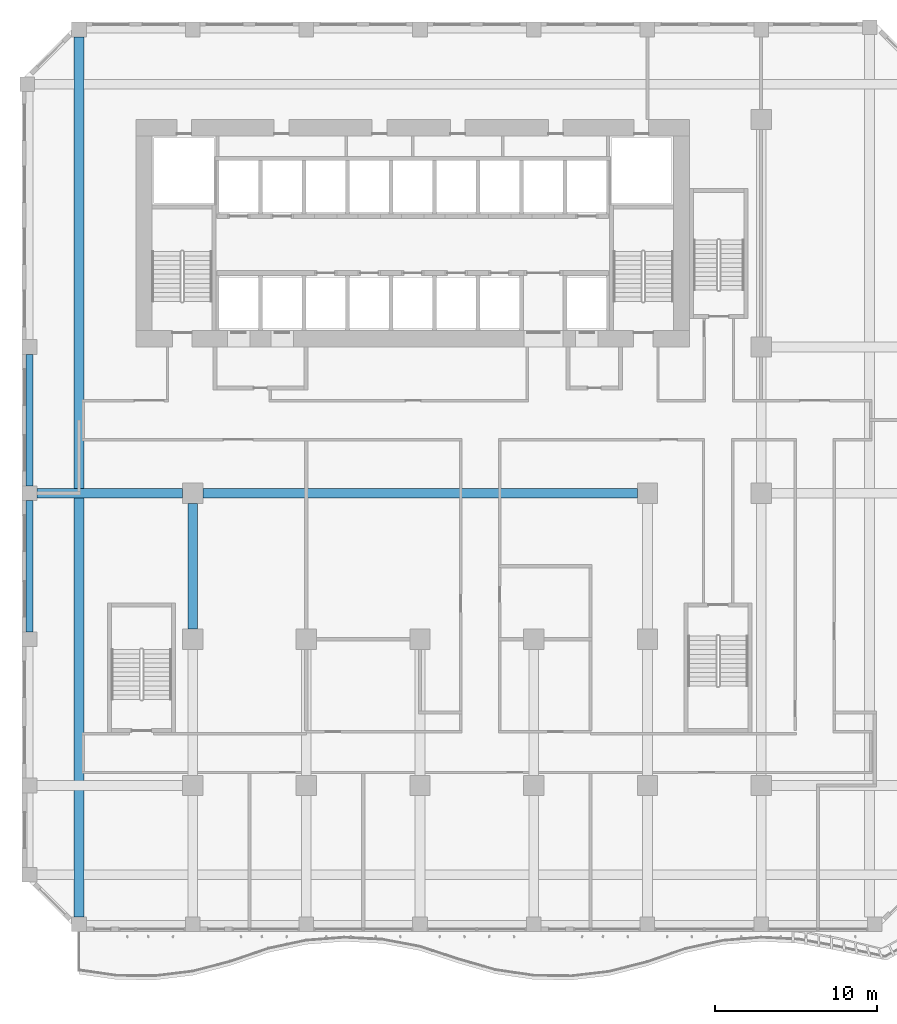
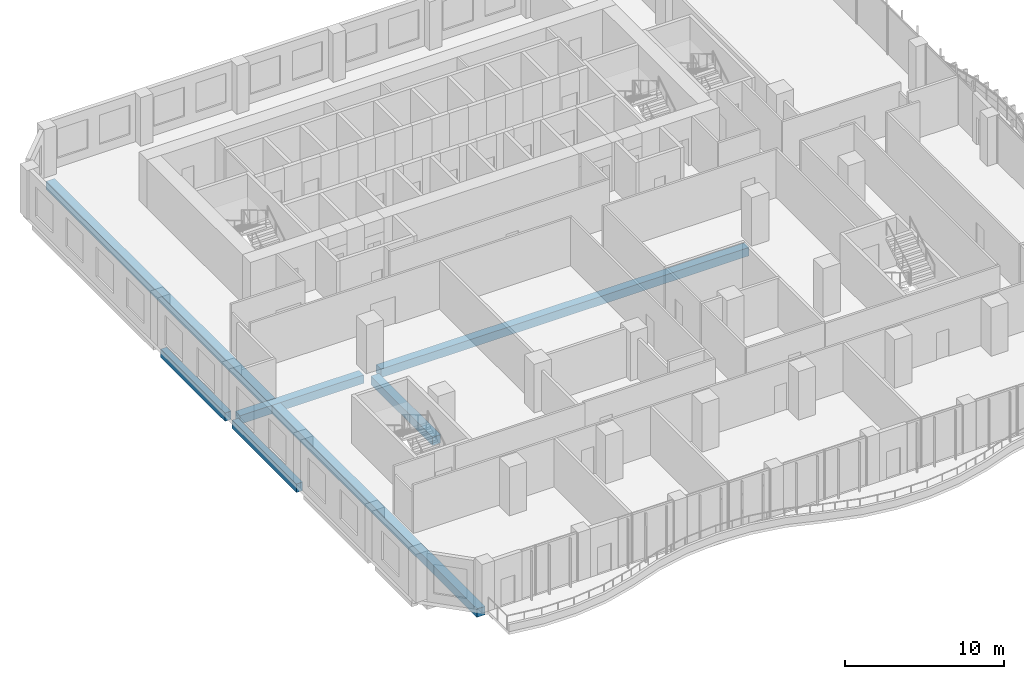
# One storey, part 5 of 29: 6 beams.
"""IFC4 building model written with IfcOpenShell, lengths in metres."""

from ifc_helpers import new_model, si_unit, direction, frame, origin, origin_2d, place, context, subcontext, project, spatial, rectangle, extrude, source, transform, mapped, material, material_profile, profile_set, type_object, element, save


model = new_model("IFC4")

# Units and contexts
model_context = context("Model", 3, precision=1e-05, world=origin(), true_north=direction((0.0, 1.0)))
body_context = subcontext(model_context, "Body", "Model", "MODEL_VIEW")
ifc_project = project(units=[si_unit("LENGTHUNIT", "METRE"), si_unit("AREAUNIT", "SQUARE_METRE"), si_unit("VOLUMEUNIT", "CUBIC_METRE"), si_unit("PLANEANGLEUNIT", "RADIAN"), si_unit("MASSUNIT", "GRAM", prefix="KILO")], contexts=[model_context])

# Site, building, storey
site_placement = place(None, origin())
site = spatial("IfcSite", under=ifc_project, at=site_placement, CompositionType="ELEMENT")
building_placement = place(site_placement, origin())
building = spatial("IfcBuilding", under=site, at=building_placement, Name="Kilnfold Tower and Market Hall", CompositionType="ELEMENT")
storey_placement = place(building_placement, frame((0.0, 0.0, 79.199951171875)))
storey = spatial("IfcBuildingStorey", under=building, at=storey_placement, Name="L18", CompositionType="ELEMENT", Elevation=79.199951171875)

# Beams
ifc_material_1 = material(Name="Concrete C45", Category="concrete")
ifc_material_profile_1 = material_profile(ifc_material_1, rectangle(XDim=0.449951171875, YDim=0.64990234375, at=origin_2d()), Name="RC 450x650")
ifc_profile_set_1 = profile_set([ifc_material_profile_1], Name="Concrete C45")
beam_type_1 = type_object("IfcBeamType", Name="EDGE BEAM 450X650 C45", PredefinedType="BEAM", material=ifc_profile_set_1)
shared_shape_1 = source(origin(), body_context, "Body", "SweptSolid", [
    extrude(rectangle(XDim=0.449951171875, YDim=0.64990234375, at=origin_2d()), origin(), (0.0, 0.0, 1.0), 8.10009765625),
])
for number, where, z_axis, x_axis, name in (
    (1, (-22.550048828125, -9.550048828125, -0.60498046875), (0.0, 1.0, 0.0), (-1.0, 0.0, 0.0), "Beam EB650-B2.39"),
    (2, (-22.550048828125, -0.550048828125, -0.60498046875), (0.0, 1.0, 0.0), (-1.0, 0.0, 0.0), "Beam EB650-B2.40"),
):
    element("IfcBeam", number, at=place(storey_placement, frame(where, z_axis=z_axis, x_axis=x_axis)), inside=storey, type_object=beam_type_1, Name=name, PredefinedType="BEAM", context=body_context, shape_type="MappedRepresentation", body=[
        mapped(shared_shape_1, transform((0.0, 0.0, 0.0))),
    ])
ifc_material_2 = material(Name="Concrete C45", Category="concrete")
ifc_material_profile_2 = material_profile(ifc_material_2, rectangle(XDim=0.60009765625, YDim=0.64990234375, at=origin_2d()), Name="RC 600x650")
ifc_profile_set_2 = profile_set([ifc_material_profile_2], Name="Concrete C45")
beam_type_2 = type_object("IfcBeamType", Name="BEAM 600X650 C45", PredefinedType="BEAM", material=ifc_profile_set_2)
shared_shape_2 = source(origin(), body_context, "Body", "SweptSolid", [
    extrude(rectangle(XDim=0.60009765625, YDim=0.64990234375, at=origin_2d()), origin(), (0.0, 0.0, 1.0), 54.2001953125),
])
beam_1_placement = place(storey_placement, frame((-19.5, -27.10009765625, -0.60498046875), z_axis=(0.0, 1.0, 0.0), x_axis=(-1.0, 0.0, 0.0)))
element("IfcBeam", 3, at=beam_1_placement, inside=storey, type_object=beam_type_2, Name="Beam BB650-B2.42", PredefinedType="BEAM", context=body_context, shape_type="MappedRepresentation", body=[
    mapped(shared_shape_2, transform((0.0, 0.0, 0.0))),
])
shared_shape_3 = source(origin(), body_context, "Body", "SweptSolid", [
    extrude(rectangle(XDim=0.60009765625, YDim=0.64990234375, at=origin_2d()), origin(), (0.0, 0.0, 1.0), 8.97509765625),
])
beam_2_placement = place(storey_placement, frame((-22.10009765625, -1.0, -0.60498046875), z_axis=(1.0, 0.0, 0.0), x_axis=(0.0, 1.0, 0.0)))
element("IfcBeam", 4, at=beam_2_placement, inside=storey, type_object=beam_type_2, Name="Beam BB650-B2.70", PredefinedType="BEAM", context=body_context, shape_type="MappedRepresentation", body=[
    mapped(shared_shape_3, transform((0.0, 0.0, 0.0))),
])
shared_shape_4 = source(origin(), body_context, "Body", "SweptSolid", [
    extrude(rectangle(XDim=0.60009765625, YDim=0.64990234375, at=origin_2d()), origin(), (0.0, 0.0, 1.0), 26.75),
])
beam_3_placement = place(storey_placement, frame((-11.875, -1.0, -0.60498046875), z_axis=(1.0, 0.0, 0.0), x_axis=(0.0, 1.0, 0.0)))
element("IfcBeam", 5, at=beam_3_placement, inside=storey, type_object=beam_type_2, Name="Beam BB650-B2.71", PredefinedType="BEAM", context=body_context, shape_type="MappedRepresentation", body=[
    mapped(shared_shape_4, transform((0.0, 0.0, 0.0))),
])
shared_shape_5 = source(origin(), body_context, "Body", "SweptSolid", [
    extrude(rectangle(XDim=0.60009765625, YDim=0.64990234375, at=origin_2d()), origin(), (0.0, 0.0, 1.0), 7.75),
])
beam_4_placement = place(storey_placement, frame((-12.5, -9.375, -0.60498046875), z_axis=(0.0, 1.0, 0.0), x_axis=(-1.0, 0.0, 0.0)))
element("IfcBeam", 6, at=beam_4_placement, inside=storey, type_object=beam_type_2, Name="Beam BB650-B2.84", PredefinedType="BEAM", context=body_context, shape_type="MappedRepresentation", body=[
    mapped(shared_shape_5, transform((0.0, 0.0, 0.0))),
])

save(model, "model.ifc")
